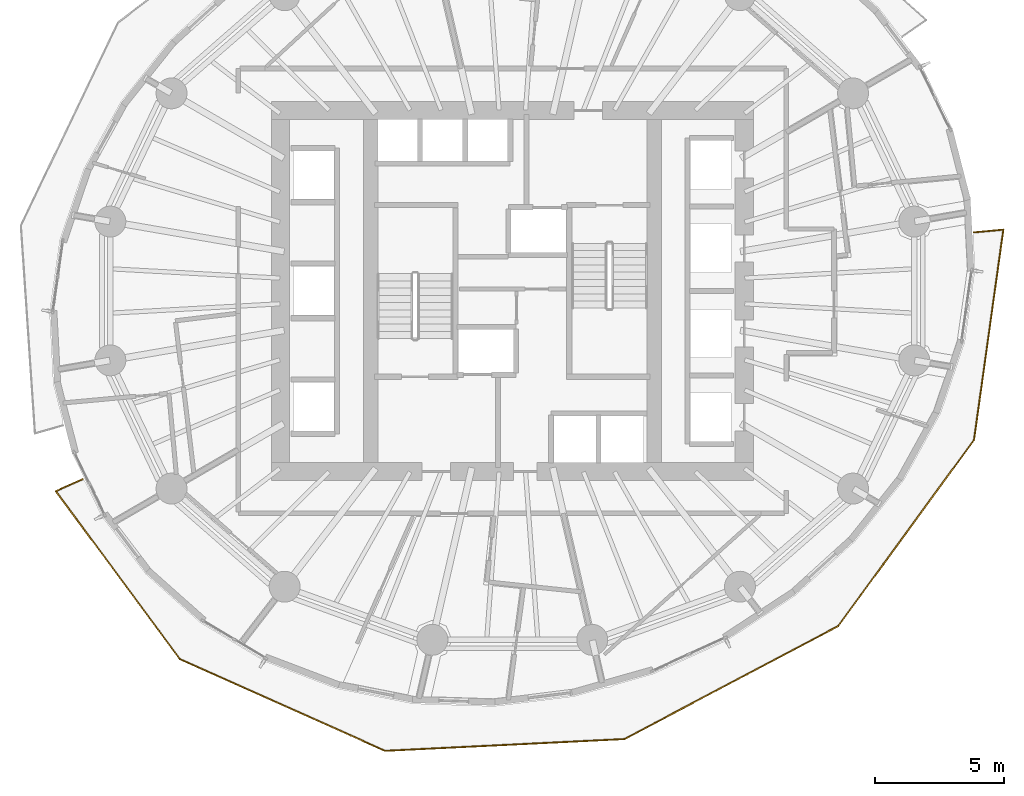
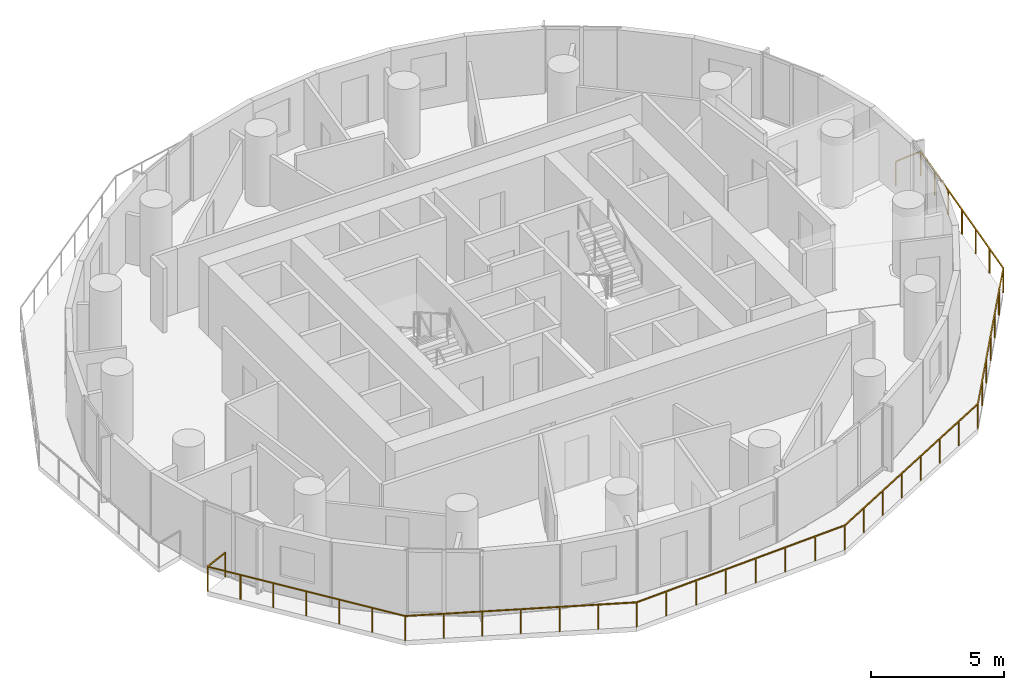
# One storey, part 12 of 14: 1 railing.
"""IFC4 building model written with IfcOpenShell, lengths in metres."""

from ifc_helpers import new_model, si_unit, direction, frame, origin, origin_2d, place, context, subcontext, project, spatial, rectangle, extrude, material, type_object, element, save


model = new_model("IFC4")

# Units and contexts
model_context = context("Model", 3, precision=1e-05, world=origin(), true_north=direction((0.0, 1.0)))
body_context = subcontext(model_context, "Body", "Model", "MODEL_VIEW")
ifc_project = project(units=[si_unit("LENGTHUNIT", "METRE"), si_unit("AREAUNIT", "SQUARE_METRE"), si_unit("VOLUMEUNIT", "CUBIC_METRE"), si_unit("PLANEANGLEUNIT", "RADIAN"), si_unit("MASSUNIT", "GRAM", prefix="KILO")], contexts=[model_context])

# Site, building, storey
site_placement = place(None, origin())
site = spatial("IfcSite", under=ifc_project, at=site_placement, CompositionType="ELEMENT")
building_placement = place(site_placement, origin())
building = spatial("IfcBuilding", under=site, at=building_placement, Name="Veldorim Arch Residences", CompositionType="ELEMENT")
storey_placement = place(building_placement, frame((0.0, 0.0, 86.8798828125)))
storey = spatial("IfcBuildingStorey", under=building, at=storey_placement, Name="L25", CompositionType="ELEMENT", Elevation=86.8798828125)

# Railing
ifc_material = material(Name="Aluminium", Category="aluminium")
railing_type = type_object("IfcRailingType", Name="Balcony & Terrace Laminated Glass Balustrade 1150", PredefinedType="BALUSTRADE", material=ifc_material)
railing_placement = place(storey_placement, frame((15.339111328125, 16.70263671875, 0.0)))
element("IfcRailing", 1, at=railing_placement, inside=storey, type_object=railing_type, Name="L25 crescent balcony safety balustrade B", PredefinedType="BALUSTRADE", context=body_context, shape_type="SweptSolid", body=[
    extrude(rectangle(XDim=0.048095703125, YDim=0.048095703125, at=origin_2d()), frame((0.0, 0.0, 1.1259765625), z_axis=(-0.912211245707, -0.40972020112, 0.0), x_axis=(0.40972020112, -0.912211245707, 0.0)), (0.0, 0.0, 1.0), 1.150146484375),
    extrude(rectangle(XDim=0.048095703125, YDim=0.048095703125, at=origin_2d()), frame((-1.049072265625, -0.47119140625, 1.1259765625), z_axis=(0.59404062481, -0.804435041551, 0.0), x_axis=(0.804435041551, 0.59404062481, 0.0)), (0.0, 0.0, 1.0), 8.091552734375),
    extrude(rectangle(XDim=0.048095703125, YDim=0.048095703125, at=origin_2d()), frame((3.757568359375, -6.980224609375, 1.1259765625), z_axis=(0.912853349964, -0.408287596504, 0.0), x_axis=(0.408287596504, 0.912853349964, 0.0)), (0.0, 0.0, 1.0), 8.733154296875),
    extrude(rectangle(XDim=0.048095703125, YDim=0.048095703125, at=origin_2d()), frame((11.729736328125, -10.5458984375, 1.1259765625), z_axis=(0.998791272983, 0.049152751828, 0.0), x_axis=(-0.049152751828, 0.998791272983, 0.0)), (0.0, 0.0, 1.0), 9.293212890625),
    extrude(rectangle(XDim=0.048095703125, YDim=0.048095703125, at=origin_2d()), frame((21.01171875, -10.089111328125, 1.1259765625), z_axis=(0.884029523632, 0.467431065877, 0.0), x_axis=(-0.467431065877, 0.884029523632, 0.0)), (0.0, 0.0, 1.0), 9.384765625),
    extrude(rectangle(XDim=0.048095703125, YDim=0.048095703125, at=origin_2d()), frame((29.30810546875, -5.702392578125, 1.1259765625), z_axis=(0.589419934087, 0.807826801549, 0.0), x_axis=(-0.807826801549, 0.589419934087, 0.0)), (0.0, 0.0, 1.0), 8.938232421875),
    extrude(rectangle(XDim=0.048095703125, YDim=0.048095703125, at=origin_2d()), frame((34.576416015625, 1.51806640625, 1.1259765625), z_axis=(0.138201439466, 0.990404140808, 0.0), x_axis=(-0.990404140808, 0.138201439466, 0.0)), (0.0, 0.0, 1.0), 8.2392578125),
    extrude(rectangle(XDim=0.048095703125, YDim=0.048095703125, at=origin_2d()), frame((35.715087890625, 9.67822265625, 1.1259765625), z_axis=(-0.995647779195, -0.093196028799, 0.0), x_axis=(0.093196028799, -0.995647779195, 0.0)), (0.0, 0.0, 1.0), 1.150146484375),
    extrude(rectangle(XDim=0.0419921875, YDim=0.0419921875, at=origin_2d()), origin(), (0.0, 0.0, 1.0), 1.101806640625),
    extrude(rectangle(XDim=0.0419921875, YDim=0.0419921875, at=origin_2d()), frame((-1.049072265625, -0.47119140625, 0.0)), (0.0, 0.0, 1.0), 1.101806640625),
    extrude(rectangle(XDim=0.0419921875, YDim=0.0419921875, at=origin_2d()), frame((-0.248046875, -1.55615234375, 0.0)), (0.0, 0.0, 1.0), 1.101806640625),
    extrude(rectangle(XDim=0.0419921875, YDim=0.0419921875, at=origin_2d()), frame((0.55322265625, -2.640869140625, 0.0)), (0.0, 0.0, 1.0), 1.101806640625),
    extrude(rectangle(XDim=0.0419921875, YDim=0.0419921875, at=origin_2d()), frame((1.354248046875, -3.7255859375, 0.0)), (0.0, 0.0, 1.0), 1.101806640625),
    extrude(rectangle(XDim=0.0419921875, YDim=0.0419921875, at=origin_2d()), frame((2.1552734375, -4.810546875, 0.0)), (0.0, 0.0, 1.0), 1.101806640625),
    extrude(rectangle(XDim=0.0419921875, YDim=0.0419921875, at=origin_2d()), frame((2.95654296875, -5.8955078125, 0.0)), (0.0, 0.0, 1.0), 1.101806640625),
    extrude(rectangle(XDim=0.0419921875, YDim=0.0419921875, at=origin_2d()), frame((3.757568359375, -6.980224609375, 0.0)), (0.0, 0.0, 1.0), 1.101806640625),
    extrude(rectangle(XDim=0.0419921875, YDim=0.0419921875, at=origin_2d()), frame((5.086181640625, -7.574462890625, 0.0)), (0.0, 0.0, 1.0), 1.101806640625),
    extrude(rectangle(XDim=0.0419921875, YDim=0.0419921875, at=origin_2d()), frame((6.4150390625, -8.168701171875, 0.0)), (0.0, 0.0, 1.0), 1.101806640625),
    extrude(rectangle(XDim=0.0419921875, YDim=0.0419921875, at=origin_2d()), frame((7.74365234375, -8.76318359375, 0.0)), (0.0, 0.0, 1.0), 1.101806640625),
    extrude(rectangle(XDim=0.0419921875, YDim=0.0419921875, at=origin_2d()), frame((9.072265625, -9.357421875, 0.0)), (0.0, 0.0, 1.0), 1.101806640625),
    extrude(rectangle(XDim=0.0419921875, YDim=0.0419921875, at=origin_2d()), frame((10.401123046875, -9.95166015625, 0.0)), (0.0, 0.0, 1.0), 1.101806640625),
    extrude(rectangle(XDim=0.0419921875, YDim=0.0419921875, at=origin_2d()), frame((11.729736328125, -10.5458984375, 0.0)), (0.0, 0.0, 1.0), 1.101806640625),
    extrude(rectangle(XDim=0.0419921875, YDim=0.0419921875, at=origin_2d()), frame((13.0556640625, -10.480712890625, 0.0)), (0.0, 0.0, 1.0), 1.101806640625),
    extrude(rectangle(XDim=0.0419921875, YDim=0.0419921875, at=origin_2d()), frame((14.3818359375, -10.415283203125, 0.0)), (0.0, 0.0, 1.0), 1.101806640625),
    extrude(rectangle(XDim=0.0419921875, YDim=0.0419921875, at=origin_2d()), frame((15.707763671875, -10.35009765625, 0.0)), (0.0, 0.0, 1.0), 1.101806640625),
    extrude(rectangle(XDim=0.0419921875, YDim=0.0419921875, at=origin_2d()), frame((17.03369140625, -10.284912109375, 0.0)), (0.0, 0.0, 1.0), 1.101806640625),
    extrude(rectangle(XDim=0.0419921875, YDim=0.0419921875, at=origin_2d()), frame((18.359619140625, -10.2197265625, 0.0)), (0.0, 0.0, 1.0), 1.101806640625),
    extrude(rectangle(XDim=0.0419921875, YDim=0.0419921875, at=origin_2d()), frame((19.685791015625, -10.154296875, 0.0)), (0.0, 0.0, 1.0), 1.101806640625),
    extrude(rectangle(XDim=0.0419921875, YDim=0.0419921875, at=origin_2d()), frame((21.01171875, -10.089111328125, 0.0)), (0.0, 0.0, 1.0), 1.101806640625),
    extrude(rectangle(XDim=0.0419921875, YDim=0.0419921875, at=origin_2d()), frame((22.197021484375, -9.46240234375, 0.0)), (0.0, 0.0, 1.0), 1.101806640625),
    extrude(rectangle(XDim=0.0419921875, YDim=0.0419921875, at=origin_2d()), frame((23.382080078125, -8.835693359375, 0.0)), (0.0, 0.0, 1.0), 1.101806640625),
    extrude(rectangle(XDim=0.0419921875, YDim=0.0419921875, at=origin_2d()), frame((24.5673828125, -8.208984375, 0.0)), (0.0, 0.0, 1.0), 1.101806640625),
    extrude(rectangle(XDim=0.0419921875, YDim=0.0419921875, at=origin_2d()), frame((25.75244140625, -7.58251953125, 0.0)), (0.0, 0.0, 1.0), 1.101806640625),
    extrude(rectangle(XDim=0.0419921875, YDim=0.0419921875, at=origin_2d()), frame((26.937744140625, -6.955810546875, 0.0)), (0.0, 0.0, 1.0), 1.101806640625),
    extrude(rectangle(XDim=0.0419921875, YDim=0.0419921875, at=origin_2d()), frame((28.122802734375, -6.3291015625, 0.0)), (0.0, 0.0, 1.0), 1.101806640625),
    extrude(rectangle(XDim=0.0419921875, YDim=0.0419921875, at=origin_2d()), frame((29.30810546875, -5.702392578125, 0.0)), (0.0, 0.0, 1.0), 1.101806640625),
    extrude(rectangle(XDim=0.0419921875, YDim=0.0419921875, at=origin_2d()), frame((30.18603515625, -4.4990234375, 0.0)), (0.0, 0.0, 1.0), 1.101806640625),
    extrude(rectangle(XDim=0.0419921875, YDim=0.0419921875, at=origin_2d()), frame((31.064208984375, -3.295654296875, 0.0)), (0.0, 0.0, 1.0), 1.101806640625),
    extrude(rectangle(XDim=0.0419921875, YDim=0.0419921875, at=origin_2d()), frame((31.9423828125, -2.09228515625, 0.0)), (0.0, 0.0, 1.0), 1.101806640625),
    extrude(rectangle(XDim=0.0419921875, YDim=0.0419921875, at=origin_2d()), frame((32.8203125, -0.888671875, 0.0)), (0.0, 0.0, 1.0), 1.101806640625),
    extrude(rectangle(XDim=0.0419921875, YDim=0.0419921875, at=origin_2d()), frame((33.6982421875, 0.314697265625, 0.0)), (0.0, 0.0, 1.0), 1.101806640625),
    extrude(rectangle(XDim=0.0419921875, YDim=0.0419921875, at=origin_2d()), frame((34.576416015625, 1.51806640625, 0.0)), (0.0, 0.0, 1.0), 1.101806640625),
    extrude(rectangle(XDim=0.0419921875, YDim=0.0419921875, at=origin_2d()), frame((34.76611328125, 2.878173828125, 0.0)), (0.0, 0.0, 1.0), 1.101806640625),
    extrude(rectangle(XDim=0.0419921875, YDim=0.0419921875, at=origin_2d()), frame((34.9560546875, 4.238037109375, 0.0)), (0.0, 0.0, 1.0), 1.101806640625),
    extrude(rectangle(XDim=0.0419921875, YDim=0.0419921875, at=origin_2d()), frame((35.145751953125, 5.59814453125, 0.0)), (0.0, 0.0, 1.0), 1.101806640625),
    extrude(rectangle(XDim=0.0419921875, YDim=0.0419921875, at=origin_2d()), frame((35.33544921875, 6.958251953125, 0.0)), (0.0, 0.0, 1.0), 1.101806640625),
    extrude(rectangle(XDim=0.0419921875, YDim=0.0419921875, at=origin_2d()), frame((35.525390625, 8.318115234375, 0.0)), (0.0, 0.0, 1.0), 1.101806640625),
    extrude(rectangle(XDim=0.0419921875, YDim=0.0419921875, at=origin_2d()), frame((35.715087890625, 9.67822265625, 0.0)), (0.0, 0.0, 1.0), 1.101806640625),
    extrude(rectangle(XDim=0.0419921875, YDim=0.0419921875, at=origin_2d()), frame((34.570068359375, 9.571044921875, 0.0)), (0.0, 0.0, 1.0), 1.101806640625),
])

save(model, "model.ifc")
